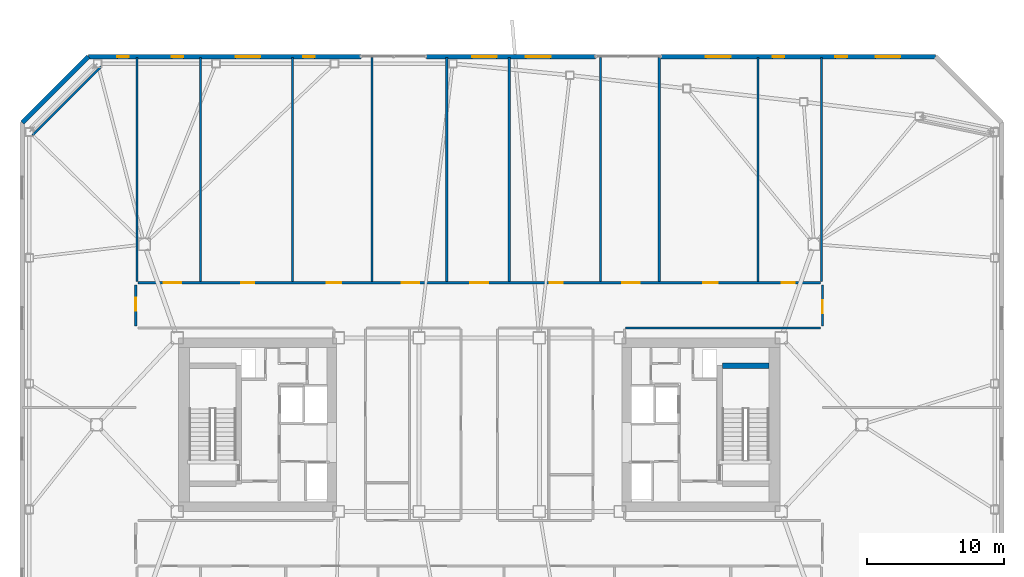
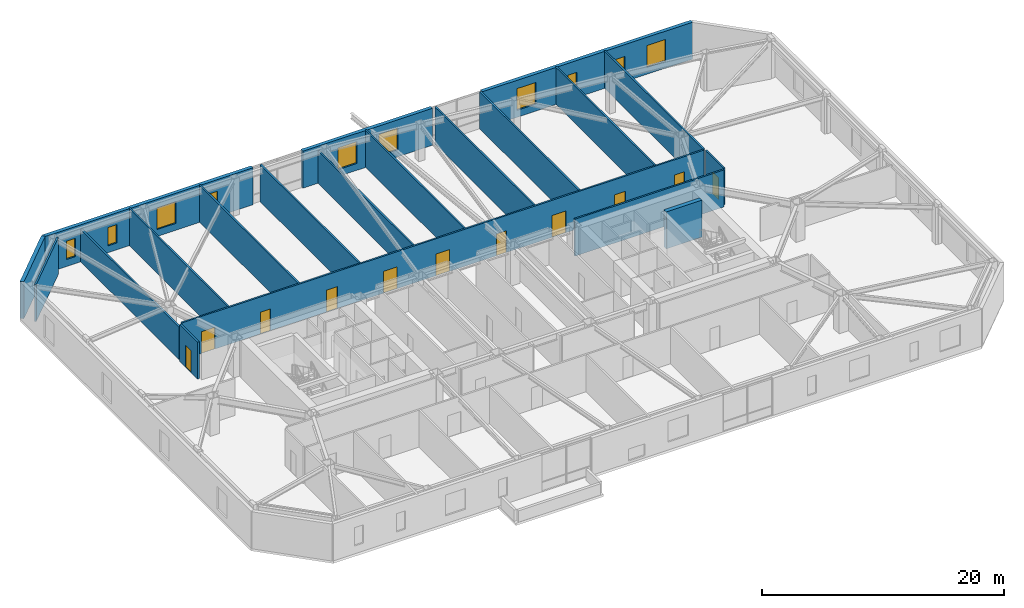
# One storey, part 13 of 18: 20 walls, 11 doors, 10 windows, 21 openings.
"""IFC4 building model written with IfcOpenShell, lengths in metres."""

from ifc_helpers import new_model, si_unit, direction, frame, frame_2d, origin, place, context, subcontext, project, spatial, rectangle, extrude, material, layer, layer_set, type_object, element, fill, save


model = new_model("IFC4")

# Units and contexts
model_context = context("Model", 3, precision=1e-05, world=origin(), true_north=direction((0.0, 1.0)))
body_context = subcontext(model_context, "Body", "Model", "MODEL_VIEW")
ifc_project = project(units=[si_unit("LENGTHUNIT", "METRE"), si_unit("AREAUNIT", "SQUARE_METRE"), si_unit("VOLUMEUNIT", "CUBIC_METRE"), si_unit("PLANEANGLEUNIT", "RADIAN"), si_unit("MASSUNIT", "GRAM", prefix="KILO")], contexts=[model_context])

# Site, building, storey
site_placement = place(None, origin())
site = spatial("IfcSite", under=ifc_project, at=site_placement, CompositionType="ELEMENT")
building_placement = place(site_placement, origin())
building = spatial("IfcBuilding", under=site, at=building_placement, Name="Tavrogorsk Clinical Tower", CompositionType="ELEMENT")
storey_placement = place(building_placement, frame((0.0, 0.0, 168.199951171875)))
storey = spatial("IfcBuildingStorey", under=building, at=storey_placement, Name="L38", CompositionType="ELEMENT", Elevation=168.199951171875)

# Wall
ifc_material_1 = material(Name="Lightweight concrete blockwork B15", Category="masonry")
ifc_layer_1 = layer(ifc_material_1, 0.159912109375)
ifc_layer_set_1 = layer_set([ifc_layer_1], Name="Lightweight concrete blockwork B15")
wall_type_1 = type_object("IfcWallType", Name="PartitionWall_160", PredefinedType="PARTITIONING", material=ifc_layer_set_1)
wall_1_placement = place(storey_placement, frame((-27.6796875, 26.1796875, 0.0), z_axis=(0.0, 0.0, 1.0), x_axis=(-0.707106781187, -0.707106781187, 0.0)))
element("IfcWall", 1, at=wall_1_placement, inside=storey, type_object=wall_type_1, Name="L38 Corner Exoskeleton Brace Furring Wall 3", PredefinedType="PARTITIONING", context=body_context, shape_type="SweptSolid", body=[
    extrude(rectangle(XDim=7.071044921875, YDim=0.159912109375, at=frame_2d((3.53564453125, 0.0))), origin(), (0.0, 0.0, 1.0), 3.739990234375),
])

# Wall, opening, door
wall_2_placement = place(storey_placement, frame((-25.1298828125, 7.235107421875, 0.0), z_axis=(0.0, 0.0, 1.0), x_axis=(0.0, 1.0, 0.0)))
wall_2 = element("IfcWall", 2, at=wall_2_placement, inside=storey, type_object=wall_type_1, Name="L38 Corridor Partition 06", PredefinedType="PARTITIONING", context=body_context, shape_type="SweptSolid", body=[
    extrude(rectangle(XDim=2.97998046875, YDim=0.159912109375, at=frame_2d((1.489990234375, 0.0))), origin(), (0.0, 0.0, 1.0), 3.739990234375),
])
opening_1_placement = place(wall_2_placement, frame((1.10009765625, 0.0, 0.0)))
opening_1 = element("IfcOpeningElement", 3, at=opening_1_placement, cuts=wall_2, Name="Opening ID-02", PredefinedType="OPENING", context=body_context, shape_type="SweptSolid", body=[
    extrude(rectangle(XDim=0.949951171875, YDim=2.199951171875, at=frame_2d((0.47509765625, 1.10009765625))), frame((0.0, 0.08984375, 0.0), z_axis=(0.0, -1.0, 0.0), x_axis=(1.0, 0.0, 0.0)), (0.0, 0.0, 1.0), 0.179931640625),
])
ifc_material_2 = material(Name="Laminated timber leaf on aluminium frame", Category="wood")
door_type_1 = type_object("IfcDoorType", Name="InteriorDoor_ID02_950", OperationType="NOTDEFINED", PredefinedType="DOOR", material=ifc_material_2)
door_1_placement = place(opening_1_placement, origin())
door_1 = element("IfcDoor", 4, at=door_1_placement, inside=storey, type_object=door_type_1, Name="L38 W Rehabilitation Therapy Suite 2 Door", OperationType="SINGLE_SWING_RIGHT", OverallHeight=2.199951171875, OverallWidth=0.949951171875, PredefinedType="DOOR", context=body_context, shape_type="SweptSolid", body=[
    extrude(rectangle(XDim=0.949951171875, YDim=2.199951171875, at=frame_2d((0.47509765625, 1.10009765625))), frame((0.0, 0.02490234375, 0.0), z_axis=(0.0, -1.0, 0.0), x_axis=(1.0, 0.0, 0.0)), (0.0, 0.0, 1.0), 0.050048828125),
])
fill(opening_1, door_1)

# Wall, openings, doors
wall_3_placement = place(storey_placement, frame((-24.965087890625, 10.3798828125, 0.0), z_axis=(0.0, 0.0, 1.0), x_axis=(1.0, 0.0, 0.0)))
wall_3 = element("IfcWall", 5, at=wall_3_placement, inside=storey, type_object=wall_type_1, Name="L38 Corridor Partition 07", PredefinedType="PARTITIONING", context=body_context, shape_type="SweptSolid", body=[
    extrude(rectangle(XDim=49.93017578125, YDim=0.159912109375, at=frame_2d((24.965087890625, 0.0))), origin(), (0.0, 0.0, 1.0), 3.739990234375),
])
opening_2_placement = place(wall_3_placement, frame((1.869140625, 0.0, 0.0)))
opening_2 = element("IfcOpeningElement", 6, at=opening_2_placement, cuts=wall_3, Name="Opening ID-01", PredefinedType="OPENING", context=body_context, shape_type="SweptSolid", body=[
    extrude(rectangle(XDim=1.300048828125, YDim=2.199951171875, at=frame_2d((0.64990234375, 1.10009765625))), frame((0.0, 0.08984375, 0.0), z_axis=(0.0, -1.0, 0.0), x_axis=(1.0, 0.0, 0.0)), (0.0, 0.0, 1.0), 0.179931640625),
])
opening_3_placement = place(wall_3_placement, frame((7.5400390625, 0.0, 0.0)))
opening_3 = element("IfcOpeningElement", 7, at=opening_3_placement, cuts=wall_3, Name="Opening ID-02", PredefinedType="OPENING", context=body_context, shape_type="SweptSolid", body=[
    extrude(rectangle(XDim=0.949951171875, YDim=2.199951171875, at=frame_2d((0.47509765625, 1.10009765625))), frame((0.0, 0.08984375, 0.0), z_axis=(0.0, -1.0, 0.0), x_axis=(1.0, 0.0, 0.0)), (0.0, 0.0, 1.0), 0.179931640625),
])
opening_4_placement = place(wall_3_placement, frame((13.820068359375, 0.0, 0.0)))
opening_4 = element("IfcOpeningElement", 8, at=opening_4_placement, cuts=wall_3, Name="Opening ID-04", PredefinedType="OPENING", context=body_context, shape_type="SweptSolid", body=[
    extrude(rectangle(XDim=1.050048828125, YDim=2.199951171875, at=frame_2d((0.52490234375, 1.10009765625))), frame((0.0, 0.08984375, 0.0), z_axis=(0.0, -1.0, 0.0), x_axis=(1.0, 0.0, 0.0)), (0.0, 0.0, 1.0), 0.179931640625),
])
opening_5_placement = place(wall_3_placement, frame((19.294921875, 0.0, 0.0)))
opening_5 = element("IfcOpeningElement", 9, at=opening_5_placement, cuts=wall_3, Name="Opening ID-01", PredefinedType="OPENING", context=body_context, shape_type="SweptSolid", body=[
    extrude(rectangle(XDim=1.300048828125, YDim=2.199951171875, at=frame_2d((0.64990234375, 1.10009765625))), frame((0.0, 0.08984375, 0.0), z_axis=(0.0, -1.0, 0.0), x_axis=(1.0, 0.0, 0.0)), (0.0, 0.0, 1.0), 0.179931640625),
])
opening_6_placement = place(wall_3_placement, frame((24.31494140625, 0.0, 0.0)))
opening_6 = element("IfcOpeningElement", 10, at=opening_6_placement, cuts=wall_3, Name="Opening ID-01", PredefinedType="OPENING", context=body_context, shape_type="SweptSolid", body=[
    extrude(rectangle(XDim=1.300048828125, YDim=2.199951171875, at=frame_2d((0.64990234375, 1.10009765625))), frame((0.0, 0.08984375, 0.0), z_axis=(0.0, -1.0, 0.0), x_axis=(1.0, 0.0, 0.0)), (0.0, 0.0, 1.0), 0.179931640625),
])
opening_7_placement = place(wall_3_placement, frame((30.110107421875, 0.0, 0.0)))
opening_7 = element("IfcOpeningElement", 11, at=opening_7_placement, cuts=wall_3, Name="Opening ID-02", PredefinedType="OPENING", context=body_context, shape_type="SweptSolid", body=[
    extrude(rectangle(XDim=0.949951171875, YDim=2.199951171875, at=frame_2d((0.47509765625, 1.10009765625))), frame((0.0, 0.08984375, 0.0), z_axis=(0.0, -1.0, 0.0), x_axis=(1.0, 0.0, 0.0)), (0.0, 0.0, 1.0), 0.179931640625),
])
opening_8_placement = place(wall_3_placement, frame((35.419921875, 0.0, 0.0)))
opening_8 = element("IfcOpeningElement", 12, at=opening_8_placement, cuts=wall_3, Name="Opening ID-01", PredefinedType="OPENING", context=body_context, shape_type="SweptSolid", body=[
    extrude(rectangle(XDim=1.300048828125, YDim=2.199951171875, at=frame_2d((0.64990234375, 1.10009765625))), frame((0.0, 0.08984375, 0.0), z_axis=(0.0, -1.0, 0.0), x_axis=(1.0, 0.0, 0.0)), (0.0, 0.0, 1.0), 0.179931640625),
])
opening_9_placement = place(wall_3_placement, frame((41.360107421875, 0.0, 0.0)))
opening_9 = element("IfcOpeningElement", 13, at=opening_9_placement, cuts=wall_3, Name="Opening ID-04", PredefinedType="OPENING", context=body_context, shape_type="SweptSolid", body=[
    extrude(rectangle(XDim=1.050048828125, YDim=2.199951171875, at=frame_2d((0.52490234375, 1.10009765625))), frame((0.0, 0.08984375, 0.0), z_axis=(0.0, -1.0, 0.0), x_axis=(1.0, 0.0, 0.0)), (0.0, 0.0, 1.0), 0.179931640625),
])
opening_10_placement = place(wall_3_placement, frame((47.10595703125, 0.0, 0.0)))
opening_10 = element("IfcOpeningElement", 14, at=opening_10_placement, cuts=wall_3, Name="Opening ID-02", PredefinedType="OPENING", context=body_context, shape_type="SweptSolid", body=[
    extrude(rectangle(XDim=0.949951171875, YDim=2.199951171875, at=frame_2d((0.47509765625, 1.10009765625))), frame((0.0, 0.08984375, 0.0), z_axis=(0.0, -1.0, 0.0), x_axis=(1.0, 0.0, 0.0)), (0.0, 0.0, 1.0), 0.179931640625),
])
ifc_material_3 = material(Name="Antibacterial HPL consultation door on aluminium frame", Category="aluminium")
door_type_2 = type_object("IfcDoorType", Name="ConsultDoor_ID04_1050", OperationType="NOTDEFINED", PredefinedType="DOOR", material=ifc_material_3)
door_2_placement = place(opening_4_placement, origin())
door_2 = element("IfcDoor", 15, at=door_2_placement, inside=storey, type_object=door_type_2, Name="L38 North Patient & Family Quiet Lounge 02B Door", OperationType="SINGLE_SWING_LEFT", OverallHeight=2.199951171875, OverallWidth=1.050048828125, PredefinedType="DOOR", context=body_context, shape_type="SweptSolid", body=[
    extrude(rectangle(XDim=1.050048828125, YDim=2.199951171875, at=frame_2d((0.52490234375, 1.10009765625))), frame((0.0, 0.02490234375, 0.0), z_axis=(0.0, -1.0, 0.0), x_axis=(1.0, 0.0, 0.0)), (0.0, 0.0, 1.0), 0.050048828125),
])
fill(opening_4, door_2)
door_3_placement = place(opening_9_placement, origin())
door_3 = element("IfcDoor", 16, at=door_3_placement, inside=storey, type_object=door_type_2, Name="L38 North Diagnostic Ultrasound Suite 05 Door", OperationType="SINGLE_SWING_RIGHT", OverallHeight=2.199951171875, OverallWidth=1.050048828125, PredefinedType="DOOR", context=body_context, shape_type="SweptSolid", body=[
    extrude(rectangle(XDim=1.050048828125, YDim=2.199951171875, at=frame_2d((0.52490234375, 1.10009765625))), frame((0.0, 0.02490234375, 0.0), z_axis=(0.0, -1.0, 0.0), x_axis=(1.0, 0.0, 0.0)), (0.0, 0.0, 1.0), 0.050048828125),
])
fill(opening_9, door_3)
door_4_placement = place(opening_3_placement, origin())
door_4 = element("IfcDoor", 17, at=door_4_placement, inside=storey, type_object=door_type_1, Name="L38 North Multidisciplinary Case Room 02A Door", OperationType="SINGLE_SWING_RIGHT", OverallHeight=2.199951171875, OverallWidth=0.949951171875, PredefinedType="DOOR", context=body_context, shape_type="SweptSolid", body=[
    extrude(rectangle(XDim=0.949951171875, YDim=2.199951171875, at=frame_2d((0.47509765625, 1.10009765625))), frame((0.0, 0.02490234375, 0.0), z_axis=(0.0, -1.0, 0.0), x_axis=(1.0, 0.0, 0.0)), (0.0, 0.0, 1.0), 0.050048828125),
])
fill(opening_3, door_4)
door_5_placement = place(opening_7_placement, origin())
door_5 = element("IfcDoor", 18, at=door_5_placement, inside=storey, type_object=door_type_1, Name="L38 North Clinical Examination Suite 04A Door", OperationType="SINGLE_SWING_RIGHT", OverallHeight=2.199951171875, OverallWidth=0.949951171875, PredefinedType="DOOR", context=body_context, shape_type="SweptSolid", body=[
    extrude(rectangle(XDim=0.949951171875, YDim=2.199951171875, at=frame_2d((0.47509765625, 1.10009765625))), frame((0.0, 0.02490234375, 0.0), z_axis=(0.0, -1.0, 0.0), x_axis=(1.0, 0.0, 0.0)), (0.0, 0.0, 1.0), 0.050048828125),
])
fill(opening_7, door_5)
door_6_placement = place(opening_10_placement, origin())
door_6 = element("IfcDoor", 19, at=door_6_placement, inside=storey, type_object=door_type_1, Name="L38 North Physiotherapy Rehab Studio 06 Door", OperationType="SINGLE_SWING_LEFT", OverallHeight=2.199951171875, OverallWidth=0.949951171875, PredefinedType="DOOR", context=body_context, shape_type="SweptSolid", body=[
    extrude(rectangle(XDim=0.949951171875, YDim=2.199951171875, at=frame_2d((0.47509765625, 1.10009765625))), frame((0.0, 0.02490234375, 0.0), z_axis=(0.0, -1.0, 0.0), x_axis=(1.0, 0.0, 0.0)), (0.0, 0.0, 1.0), 0.050048828125),
])
fill(opening_10, door_6)
ifc_material_4 = material(Name="Antibacterial HPL medical leaf on aluminium frame", Category="aluminium")
door_type_3 = type_object("IfcDoorType", Name="WardBedDoor_ID01_1300", OperationType="NOTDEFINED", PredefinedType="DOOR", material=ifc_material_4)
door_7_placement = place(opening_2_placement, origin())
door_7 = element("IfcDoor", 20, at=door_7_placement, inside=storey, type_object=door_type_3, Name="L38 North Sub-Acute Recovery Ward 01 Door", OperationType="SINGLE_SWING_LEFT", OverallHeight=2.199951171875, OverallWidth=1.300048828125, PredefinedType="DOOR", context=body_context, shape_type="SweptSolid", body=[
    extrude(rectangle(XDim=1.300048828125, YDim=2.199951171875, at=frame_2d((0.64990234375, 1.10009765625))), frame((0.0, 0.02490234375, 0.0), z_axis=(0.0, -1.0, 0.0), x_axis=(1.0, 0.0, 0.0)), (0.0, 0.0, 1.0), 0.050048828125),
])
fill(opening_2, door_7)
door_8_placement = place(opening_5_placement, origin())
door_8 = element("IfcDoor", 21, at=door_8_placement, inside=storey, type_object=door_type_3, Name="L38 North Inpatient Clinical Ward 03A Door", OperationType="SINGLE_SWING_RIGHT", OverallHeight=2.199951171875, OverallWidth=1.300048828125, PredefinedType="DOOR", context=body_context, shape_type="SweptSolid", body=[
    extrude(rectangle(XDim=1.300048828125, YDim=2.199951171875, at=frame_2d((0.64990234375, 1.10009765625))), frame((0.0, 0.02490234375, 0.0), z_axis=(0.0, -1.0, 0.0), x_axis=(1.0, 0.0, 0.0)), (0.0, 0.0, 1.0), 0.050048828125),
])
fill(opening_5, door_8)
door_9_placement = place(opening_6_placement, origin())
door_9 = element("IfcDoor", 22, at=door_9_placement, inside=storey, type_object=door_type_3, Name="L38 North Acute Isolation Suite 03B Door", OperationType="SINGLE_SWING_LEFT", OverallHeight=2.199951171875, OverallWidth=1.300048828125, PredefinedType="DOOR", context=body_context, shape_type="SweptSolid", body=[
    extrude(rectangle(XDim=1.300048828125, YDim=2.199951171875, at=frame_2d((0.64990234375, 1.10009765625))), frame((0.0, 0.02490234375, 0.0), z_axis=(0.0, -1.0, 0.0), x_axis=(1.0, 0.0, 0.0)), (0.0, 0.0, 1.0), 0.050048828125),
])
fill(opening_6, door_9)
door_10_placement = place(opening_8_placement, origin())
door_10 = element("IfcDoor", 23, at=door_10_placement, inside=storey, type_object=door_type_3, Name="L38 North Sub-Acute Recovery Ward 04B Door", OperationType="SINGLE_SWING_LEFT", OverallHeight=2.199951171875, OverallWidth=1.300048828125, PredefinedType="DOOR", context=body_context, shape_type="SweptSolid", body=[
    extrude(rectangle(XDim=1.300048828125, YDim=2.199951171875, at=frame_2d((0.64990234375, 1.10009765625))), frame((0.0, 0.02490234375, 0.0), z_axis=(0.0, -1.0, 0.0), x_axis=(1.0, 0.0, 0.0)), (0.0, 0.0, 1.0), 0.050048828125),
])
fill(opening_8, door_10)

# Wall, opening, door
wall_4_placement = place(storey_placement, frame((25.1298828125, 10.215087890625, 0.0), z_axis=(0.0, 0.0, 1.0), x_axis=(0.0, -1.0, 0.0)))
wall_4 = element("IfcWall", 24, at=wall_4_placement, inside=storey, type_object=wall_type_1, Name="L38 Corridor Partition 08", PredefinedType="PARTITIONING", context=body_context, shape_type="SweptSolid", body=[
    extrude(rectangle(XDim=2.97998046875, YDim=0.159912109375, at=frame_2d((1.489990234375, 0.0))), origin(), (0.0, 0.0, 1.0), 3.739990234375),
])
opening_11_placement = place(wall_4_placement, frame((1.10009765625, 0.0, 0.0)))
opening_11 = element("IfcOpeningElement", 25, at=opening_11_placement, cuts=wall_4, Name="Opening ID-02", PredefinedType="OPENING", context=body_context, shape_type="SweptSolid", body=[
    extrude(rectangle(XDim=0.949951171875, YDim=2.199951171875, at=frame_2d((0.47509765625, 1.10009765625))), frame((0.0, 0.08984375, 0.0), z_axis=(0.0, -1.0, 0.0), x_axis=(1.0, 0.0, 0.0)), (0.0, 0.0, 1.0), 0.179931640625),
])
door_11_placement = place(opening_11_placement, origin())
door_11 = element("IfcDoor", 26, at=door_11_placement, inside=storey, type_object=door_type_1, Name="L38 E Multidisciplinary Seminar Suite 2 Door", OperationType="SINGLE_SWING_RIGHT", OverallHeight=2.199951171875, OverallWidth=0.949951171875, PredefinedType="DOOR", context=body_context, shape_type="SweptSolid", body=[
    extrude(rectangle(XDim=0.949951171875, YDim=2.199951171875, at=frame_2d((0.47509765625, 1.10009765625))), frame((0.0, 0.02490234375, 0.0), z_axis=(0.0, -1.0, 0.0), x_axis=(1.0, 0.0, 0.0)), (0.0, 0.0, 1.0), 0.050048828125),
])
fill(opening_11, door_11)

# Walls
wall_5_placement = place(storey_placement, frame((24.965087890625, 7.070068359375, 0.0), z_axis=(0.0, 0.0, 1.0), x_axis=(-1.0, 0.0, 0.0)))
element("IfcWall", 27, at=wall_5_placement, inside=storey, type_object=wall_type_1, Name="L38 Corridor Partition 09", PredefinedType="PARTITIONING", context=body_context, shape_type="SweptSolid", body=[
    extrude(rectangle(XDim=14.25, YDim=0.159912109375, at=frame_2d((7.125, 0.0))), origin(), (0.0, 0.0, 1.0), 3.739990234375),
])
wall_6_placement = place(storey_placement, frame((-25.050048828125, 10.465087890625, 0.0), z_axis=(0.0, 0.0, 1.0), x_axis=(0.0, 1.0, 0.0)))
element("IfcWall", 28, at=wall_6_placement, inside=storey, type_object=wall_type_1, Name="L38 NW Wing Closure Partition", PredefinedType="PARTITIONING", context=body_context, shape_type="SweptSolid", body=[
    extrude(rectangle(XDim=16.39501953125, YDim=0.159912109375, at=frame_2d((8.197509765625, 0.0))), origin(), (0.0, 0.0, 1.0), 3.28515625),
])
for number, where, z_axis, x_axis, name in (
    (29, (25.050048828125, 10.465087890625, 0.0), (0.0, 0.0, 1.0), (0.0, 1.0, 0.0), "L38 NE Wing Closure Partition"),
    (30, (-20.39990234375, 10.465087890625, 0.0), (0.0, 0.0, 1.0), (0.0, 1.0, 0.0), "L38 North Room Partition 1"),
    (31, (-7.840087890625, 10.465087890625, 0.0), (0.0, 0.0, 1.0), (0.0, 1.0, 0.0), "L38 North Room Partition 2"),
    (32, (2.199951171875, 10.465087890625, 0.0), (0.0, 0.0, 1.0), (0.0, 1.0, 0.0), "L38 North Room Partition 3"),
    (33, (13.169921875, 10.465087890625, 0.0), (0.0, 0.0, 1.0), (0.0, 1.0, 0.0), "L38 North Room Partition 4"),
    (34, (20.39990234375, 10.465087890625, 0.0), (0.0, 0.0, 1.0), (0.0, 1.0, 0.0), "L38 North Room Partition 5"),
    (35, (-13.669921875, 10.465087890625, 0.0), (0.0, 0.0, 1.0), (0.0, 1.0, 0.0), "L38 North Sub-Partition 2"),
):
    element("IfcWall", number, at=place(storey_placement, frame(where, z_axis=z_axis, x_axis=x_axis)), inside=storey, type_object=wall_type_1, Name=name, PredefinedType="PARTITIONING", context=body_context, shape_type="SweptSolid", body=[
        extrude(rectangle(XDim=16.39501953125, YDim=0.159912109375, at=frame_2d((8.197509765625, 0.0))), origin(), (0.0, 0.0, 1.0), 3.739990234375),
    ])
wall_7_placement = place(storey_placement, frame((-2.3701171875, 10.465087890625, 0.0), z_axis=(0.0, 0.0, 1.0), x_axis=(0.0, 1.0, 0.0)))
element("IfcWall", 36, at=wall_7_placement, inside=storey, type_object=wall_type_1, Name="L38 North Sub-Partition 3", PredefinedType="PARTITIONING", context=body_context, shape_type="SweptSolid", body=[
    extrude(rectangle(XDim=16.39501953125, YDim=0.159912109375, at=frame_2d((8.197509765625, 0.0))), origin(), (0.0, 0.0, 1.0), 3.28515625),
])
wall_8_placement = place(storey_placement, frame((8.8701171875, 10.465087890625, 0.0), z_axis=(0.0, 0.0, 1.0), x_axis=(0.0, 1.0, 0.0)))
element("IfcWall", 37, at=wall_8_placement, inside=storey, type_object=wall_type_1, Name="L38 North Sub-Partition 4", PredefinedType="PARTITIONING", context=body_context, shape_type="SweptSolid", body=[
    extrude(rectangle(XDim=16.39501953125, YDim=0.159912109375, at=frame_2d((8.197509765625, 0.0))), origin(), (0.0, 0.0, 1.0), 3.739990234375),
])

# Wall, openings, windows
ifc_material_5 = material(Name="Precast concrete B45 with limestone cladding", Category="masonry")
ifc_layer_2 = layer(ifc_material_5, 0.340087890625)
ifc_layer_set_2 = layer_set([ifc_layer_2], Name="Precast concrete B45 with limestone cladding")
wall_type_2 = type_object("IfcWallType", Name="PrecastLimestoneWall_340", PredefinedType="STANDARD", material=ifc_layer_set_2)
wall_9_placement = place(storey_placement, frame((33.39990234375, 26.929931640625, 0.0), z_axis=(0.0, 0.0, 1.0), x_axis=(-1.0, 0.0, 0.0)))
wall_9 = element("IfcWall", 38, at=wall_9_placement, inside=storey, type_object=wall_type_2, Name="L38 N Limestone Facade Wall 1", PredefinedType="STANDARD", context=body_context, shape_type="SweptSolid", body=[
    extrude(rectangle(XDim=20.08984375, YDim=0.340087890625, at=frame_2d((10.044921875, 0.0))), origin(), (0.0, 0.0, 1.0), 3.739990234375),
])
opening_12_placement = place(wall_9_placement, frame((15.0048828125, 0.0, 0.699951171875)))
opening_12 = element("IfcOpeningElement", 39, at=opening_12_placement, cuts=wall_9, Name="Opening WN-04", PredefinedType="OPENING", context=body_context, shape_type="SweptSolid", body=[
    extrude(rectangle(XDim=1.800048828125, YDim=2.199951171875, at=frame_2d((0.89990234375, 1.10009765625))), frame((0.0, 0.179931640625, 0.0), z_axis=(0.0, -1.0, 0.0), x_axis=(1.0, 0.0, 0.0)), (0.0, 0.0, 1.0), 0.360107421875),
])
opening_13_placement = place(wall_9_placement, frame((11.0712890625, 0.0, 0.699951171875)))
opening_13 = element("IfcOpeningElement", 40, at=opening_13_placement, cuts=wall_9, Name="Opening WN-06", PredefinedType="OPENING", context=body_context, shape_type="SweptSolid", body=[
    extrude(rectangle(XDim=0.85009765625, YDim=1.85009765625, at=frame_2d((0.425048828125, 0.925048828125))), frame((0.0, 0.179931640625, 0.0), z_axis=(0.0, -1.0, 0.0), x_axis=(1.0, 0.0, 0.0)), (0.0, 0.0, 1.0), 0.360107421875),
])
opening_14_placement = place(wall_9_placement, frame((6.479736328125, 0.0, 0.699951171875)))
opening_14 = element("IfcOpeningElement", 41, at=opening_14_placement, cuts=wall_9, Name="Opening WN-06", PredefinedType="OPENING", context=body_context, shape_type="SweptSolid", body=[
    extrude(rectangle(XDim=0.85009765625, YDim=1.85009765625, at=frame_2d((0.425048828125, 0.925048828125))), frame((0.0, 0.179931640625, 0.0), z_axis=(0.0, -1.0, 0.0), x_axis=(1.0, 0.0, 0.0)), (0.0, 0.0, 1.0), 0.360107421875),
])
opening_15_placement = place(wall_9_placement, frame((2.591064453125, 0.0, 0.699951171875)))
opening_15 = element("IfcOpeningElement", 42, at=opening_15_placement, cuts=wall_9, Name="Opening WN-04", PredefinedType="OPENING", context=body_context, shape_type="SweptSolid", body=[
    extrude(rectangle(XDim=1.800048828125, YDim=2.199951171875, at=frame_2d((0.89990234375, 1.10009765625))), frame((0.0, 0.179931640625, 0.0), z_axis=(0.0, -1.0, 0.0), x_axis=(1.0, 0.0, 0.0)), (0.0, 0.0, 1.0), 0.360107421875),
])
ifc_material_6 = material(Name="Thermally broken aluminium frame and triple IGU", Category="aluminium")
window_type_1 = type_object("IfcWindowType", Name="IsolationWin_1800x2200", PartitioningType="SINGLE_PANEL", PredefinedType="WINDOW", material=ifc_material_6)
window_1_placement = place(opening_12_placement, origin())
window_1 = element("IfcWindow", 43, at=window_1_placement, inside=storey, type_object=window_type_1, Name="L38 N Chicago Window 07", OverallHeight=2.199951171875, OverallWidth=1.800048828125, PartitioningType="SINGLE_PANEL", PredefinedType="WINDOW", context=body_context, shape_type="SweptSolid", body=[
    extrude(rectangle(XDim=1.800048828125, YDim=2.199951171875, at=frame_2d((0.89990234375, 1.10009765625))), frame((0.0, 0.030029296875, 0.0), z_axis=(0.0, -1.0, 0.0), x_axis=(1.0, 0.0, 0.0)), (0.0, 0.0, 1.0), 0.06005859375),
])
fill(opening_12, window_1)
window_2_placement = place(opening_15_placement, origin())
window_2 = element("IfcWindow", 44, at=window_2_placement, inside=storey, type_object=window_type_1, Name="L38 N Chicago Window 10", OverallHeight=2.199951171875, OverallWidth=1.800048828125, PartitioningType="SINGLE_PANEL", PredefinedType="WINDOW", context=body_context, shape_type="SweptSolid", body=[
    extrude(rectangle(XDim=1.800048828125, YDim=2.199951171875, at=frame_2d((0.89990234375, 1.10009765625))), frame((0.0, 0.030029296875, 0.0), z_axis=(0.0, -1.0, 0.0), x_axis=(1.0, 0.0, 0.0)), (0.0, 0.0, 1.0), 0.06005859375),
])
fill(opening_15, window_2)
ifc_material_7 = material(Name="Thermally broken aluminium frame and triple IGU", Category="aluminium")
window_type_2 = type_object("IfcWindowType", Name="MullionSubWin_850x1850", PartitioningType="SINGLE_PANEL", PredefinedType="WINDOW", material=ifc_material_7)
window_3_placement = place(opening_13_placement, origin())
window_3 = element("IfcWindow", 45, at=window_3_placement, inside=storey, type_object=window_type_2, Name="L38 N Mullion Split Window 08A", OverallHeight=1.85009765625, OverallWidth=0.85009765625, PartitioningType="SINGLE_PANEL", PredefinedType="WINDOW", context=body_context, shape_type="SweptSolid", body=[
    extrude(rectangle(XDim=0.85009765625, YDim=1.85009765625, at=frame_2d((0.425048828125, 0.925048828125))), frame((0.0, 0.030029296875, 0.0), z_axis=(0.0, -1.0, 0.0), x_axis=(1.0, 0.0, 0.0)), (0.0, 0.0, 1.0), 0.06005859375),
])
fill(opening_13, window_3)
window_4_placement = place(opening_14_placement, origin())
window_4 = element("IfcWindow", 46, at=window_4_placement, inside=storey, type_object=window_type_2, Name="L38 N Mullion Split Window 09A", OverallHeight=1.85009765625, OverallWidth=0.85009765625, PartitioningType="SINGLE_PANEL", PredefinedType="WINDOW", context=body_context, shape_type="SweptSolid", body=[
    extrude(rectangle(XDim=0.85009765625, YDim=1.85009765625, at=frame_2d((0.425048828125, 0.925048828125))), frame((0.0, 0.030029296875, 0.0), z_axis=(0.0, -1.0, 0.0), x_axis=(1.0, 0.0, 0.0)), (0.0, 0.0, 1.0), 0.06005859375),
])
fill(opening_14, window_4)

wall_10_placement = place(storey_placement, frame((8.510009765625, 26.929931640625, 0.0), z_axis=(0.0, 0.0, 1.0), x_axis=(-1.0, 0.0, 0.0)))
wall_10 = element("IfcWall", 47, at=wall_10_placement, inside=storey, type_object=wall_type_2, Name="L38 N Limestone Facade Wall 2", PredefinedType="STANDARD", context=body_context, shape_type="SweptSolid", body=[
    extrude(rectangle(XDim=12.372802734375, YDim=0.340087890625, at=frame_2d((6.1865234375, 0.0))), origin(), (0.0, 0.0, 1.0), 3.739990234375),
])
opening_16_placement = place(wall_10_placement, frame((7.228759765625, 0.0, 0.699951171875)))
opening_16 = element("IfcOpeningElement", 48, at=opening_16_placement, cuts=wall_10, Name="Opening WN-04", PredefinedType="OPENING", context=body_context, shape_type="SweptSolid", body=[
    extrude(rectangle(XDim=1.800048828125, YDim=2.199951171875, at=frame_2d((0.89990234375, 1.10009765625))), frame((0.0, 0.179931640625, 0.0), z_axis=(0.0, -1.0, 0.0), x_axis=(1.0, 0.0, 0.0)), (0.0, 0.0, 1.0), 0.360107421875),
])
opening_17_placement = place(wall_10_placement, frame((3.28857421875, 0.0, 0.699951171875)))
opening_17 = element("IfcOpeningElement", 49, at=opening_17_placement, cuts=wall_10, Name="Opening WN-04", PredefinedType="OPENING", context=body_context, shape_type="SweptSolid", body=[
    extrude(rectangle(XDim=1.800048828125, YDim=2.199951171875, at=frame_2d((0.89990234375, 1.10009765625))), frame((0.0, 0.179931640625, 0.0), z_axis=(0.0, -1.0, 0.0), x_axis=(1.0, 0.0, 0.0)), (0.0, 0.0, 1.0), 0.360107421875),
])
window_5_placement = place(opening_16_placement, origin())
window_5 = element("IfcWindow", 50, at=window_5_placement, inside=storey, type_object=window_type_1, Name="L38 N Chicago Window 05", OverallHeight=2.199951171875, OverallWidth=1.800048828125, PartitioningType="SINGLE_PANEL", PredefinedType="WINDOW", context=body_context, shape_type="SweptSolid", body=[
    extrude(rectangle(XDim=1.800048828125, YDim=2.199951171875, at=frame_2d((0.89990234375, 1.10009765625))), frame((0.0, 0.030029296875, 0.0), z_axis=(0.0, -1.0, 0.0), x_axis=(1.0, 0.0, 0.0)), (0.0, 0.0, 1.0), 0.06005859375),
])
fill(opening_16, window_5)
window_6_placement = place(opening_17_placement, origin())
window_6 = element("IfcWindow", 51, at=window_6_placement, inside=storey, type_object=window_type_1, Name="L38 N Chicago Window 06", OverallHeight=2.199951171875, OverallWidth=1.800048828125, PartitioningType="SINGLE_PANEL", PredefinedType="WINDOW", context=body_context, shape_type="SweptSolid", body=[
    extrude(rectangle(XDim=1.800048828125, YDim=2.199951171875, at=frame_2d((0.89990234375, 1.10009765625))), frame((0.0, 0.030029296875, 0.0), z_axis=(0.0, -1.0, 0.0), x_axis=(1.0, 0.0, 0.0)), (0.0, 0.0, 1.0), 0.06005859375),
])
fill(opening_17, window_6)

wall_11_placement = place(storey_placement, frame((-8.662841796875, 26.929931640625, 0.0), z_axis=(0.0, 0.0, 1.0), x_axis=(-1.0, 0.0, 0.0)))
wall_11 = element("IfcWall", 52, at=wall_11_placement, inside=storey, type_object=wall_type_2, Name="L38 N Limestone Facade Wall 3", PredefinedType="STANDARD", context=body_context, shape_type="SweptSolid", body=[
    extrude(rectangle(XDim=19.937255859375, YDim=0.340087890625, at=frame_2d((9.96875, 0.0))), origin(), (0.0, 0.0, 1.0), 3.739990234375),
])
opening_18_placement = place(wall_11_placement, frame((16.96826171875, 0.0, 0.699951171875)))
opening_18 = element("IfcOpeningElement", 53, at=opening_18_placement, cuts=wall_11, Name="Opening WN-06", PredefinedType="OPENING", context=body_context, shape_type="SweptSolid", body=[
    extrude(rectangle(XDim=0.85009765625, YDim=1.85009765625, at=frame_2d((0.425048828125, 0.925048828125))), frame((0.0, 0.179931640625, 0.0), z_axis=(0.0, -1.0, 0.0), x_axis=(1.0, 0.0, 0.0)), (0.0, 0.0, 1.0), 0.360107421875),
])
opening_19_placement = place(wall_11_placement, frame((12.9833984375, 0.0, 0.699951171875)))
opening_19 = element("IfcOpeningElement", 54, at=opening_19_placement, cuts=wall_11, Name="Opening WN-06", PredefinedType="OPENING", context=body_context, shape_type="SweptSolid", body=[
    extrude(rectangle(XDim=0.85009765625, YDim=1.85009765625, at=frame_2d((0.425048828125, 0.925048828125))), frame((0.0, 0.179931640625, 0.0), z_axis=(0.0, -1.0, 0.0), x_axis=(1.0, 0.0, 0.0)), (0.0, 0.0, 1.0), 0.360107421875),
])
opening_20_placement = place(wall_11_placement, frame((7.355224609375, 0.0, 0.699951171875)))
opening_20 = element("IfcOpeningElement", 55, at=opening_20_placement, cuts=wall_11, Name="Opening WN-04", PredefinedType="OPENING", context=body_context, shape_type="SweptSolid", body=[
    extrude(rectangle(XDim=1.800048828125, YDim=2.199951171875, at=frame_2d((0.89990234375, 1.10009765625))), frame((0.0, 0.179931640625, 0.0), z_axis=(0.0, -1.0, 0.0), x_axis=(1.0, 0.0, 0.0)), (0.0, 0.0, 1.0), 0.360107421875),
])
opening_21_placement = place(wall_11_placement, frame((3.37060546875, 0.0, 0.699951171875)))
opening_21 = element("IfcOpeningElement", 56, at=opening_21_placement, cuts=wall_11, Name="Opening WN-06", PredefinedType="OPENING", context=body_context, shape_type="SweptSolid", body=[
    extrude(rectangle(XDim=0.85009765625, YDim=1.85009765625, at=frame_2d((0.425048828125, 0.925048828125))), frame((0.0, 0.179931640625, 0.0), z_axis=(0.0, -1.0, 0.0), x_axis=(1.0, 0.0, 0.0)), (0.0, 0.0, 1.0), 0.360107421875),
])
window_7_placement = place(opening_20_placement, origin())
window_7 = element("IfcWindow", 57, at=window_7_placement, inside=storey, type_object=window_type_1, Name="L38 N Chicago Window 03", OverallHeight=2.199951171875, OverallWidth=1.800048828125, PartitioningType="SINGLE_PANEL", PredefinedType="WINDOW", context=body_context, shape_type="SweptSolid", body=[
    extrude(rectangle(XDim=1.800048828125, YDim=2.199951171875, at=frame_2d((0.89990234375, 1.10009765625))), frame((0.0, 0.030029296875, 0.0), z_axis=(0.0, -1.0, 0.0), x_axis=(1.0, 0.0, 0.0)), (0.0, 0.0, 1.0), 0.06005859375),
])
fill(opening_20, window_7)
window_8_placement = place(opening_18_placement, origin())
window_8 = element("IfcWindow", 58, at=window_8_placement, inside=storey, type_object=window_type_2, Name="L38 N Mullion Split Window 01B", OverallHeight=1.85009765625, OverallWidth=0.85009765625, PartitioningType="SINGLE_PANEL", PredefinedType="WINDOW", context=body_context, shape_type="SweptSolid", body=[
    extrude(rectangle(XDim=0.85009765625, YDim=1.85009765625, at=frame_2d((0.425048828125, 0.925048828125))), frame((0.0, 0.030029296875, 0.0), z_axis=(0.0, -1.0, 0.0), x_axis=(1.0, 0.0, 0.0)), (0.0, 0.0, 1.0), 0.06005859375),
])
fill(opening_18, window_8)
window_9_placement = place(opening_19_placement, origin())
window_9 = element("IfcWindow", 59, at=window_9_placement, inside=storey, type_object=window_type_2, Name="L38 N Mullion Split Window 02B", OverallHeight=1.85009765625, OverallWidth=0.85009765625, PartitioningType="SINGLE_PANEL", PredefinedType="WINDOW", context=body_context, shape_type="SweptSolid", body=[
    extrude(rectangle(XDim=0.85009765625, YDim=1.85009765625, at=frame_2d((0.425048828125, 0.925048828125))), frame((0.0, 0.030029296875, 0.0), z_axis=(0.0, -1.0, 0.0), x_axis=(1.0, 0.0, 0.0)), (0.0, 0.0, 1.0), 0.06005859375),
])
fill(opening_19, window_9)
window_10_placement = place(opening_21_placement, origin())
window_10 = element("IfcWindow", 60, at=window_10_placement, inside=storey, type_object=window_type_2, Name="L38 N Mullion Split Window 04A", OverallHeight=1.85009765625, OverallWidth=0.85009765625, PartitioningType="SINGLE_PANEL", PredefinedType="WINDOW", context=body_context, shape_type="SweptSolid", body=[
    extrude(rectangle(XDim=0.85009765625, YDim=1.85009765625, at=frame_2d((0.425048828125, 0.925048828125))), frame((0.0, 0.030029296875, 0.0), z_axis=(0.0, -1.0, 0.0), x_axis=(1.0, 0.0, 0.0)), (0.0, 0.0, 1.0), 0.06005859375),
])
fill(opening_21, window_10)

# Walls
wall_12_placement = place(storey_placement, frame((-28.60009765625, 26.929931640625, 0.0), z_axis=(0.0, 0.0, 1.0), x_axis=(-0.707106781187, -0.707106781187, 0.0)))
element("IfcWall", 61, at=wall_12_placement, inside=storey, type_object=wall_type_2, Name="L38 Chamfered Corner Wall 3", PredefinedType="STANDARD", context=body_context, shape_type="SweptSolid", body=[
    extrude(rectangle(XDim=6.830322265625, YDim=0.340087890625, at=frame_2d((3.4150390625, 0.0))), origin(), (0.0, 0.0, 1.0), 3.739990234375),
])
ifc_material_8 = material(Name="Concrete B80", Category="concrete")
ifc_layer_3 = layer(ifc_material_8, 0.39990234375)
ifc_layer_set_3 = layer_set([ifc_layer_3], Name="Concrete B80")
wall_type_3 = type_object("IfcWallType", Name="ShearWall_400", PredefinedType="SHEAR", material=ifc_layer_set_3)
wall_13_placement = place(storey_placement, frame((17.800048828125, 4.324951171875, 0.0), z_axis=(0.0, 0.0, 1.0), x_axis=(1.0, 0.0, 0.0)))
element("IfcWall", 62, at=wall_13_placement, inside=storey, type_object=wall_type_3, Name="L38 Core East Stair Shaft North Shear Wall", PredefinedType="SHEAR", context=body_context, shape_type="SweptSolid", body=[
    extrude(rectangle(XDim=3.39990234375, YDim=0.39990234375, at=frame_2d((1.699951171875, 0.0))), origin(), (0.0, 0.0, 1.0), 3.739990234375),
])

save(model, "model.ifc")
